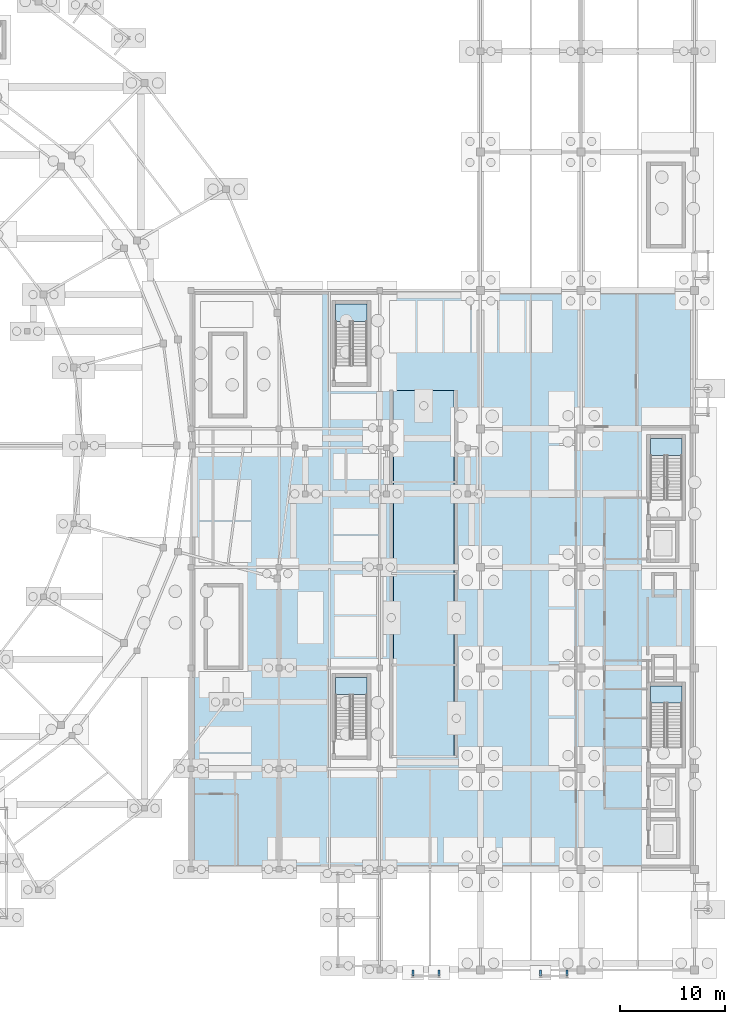
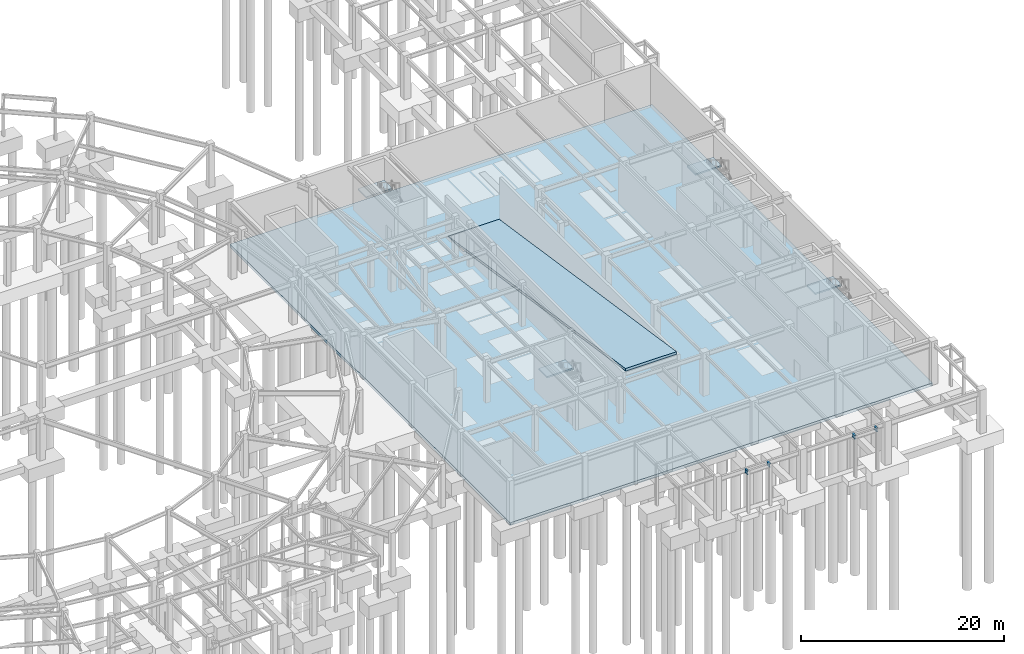
# One storey, part 44 of 55: 6 slabs, 4 beams, 4 elements without a shape of their own.
"""IFC4 building model written with IfcOpenShell, lengths in metres."""

from ifc_helpers import new_model, si_unit, direction, frame, origin, origin_2d, place, context, subcontext, project, spatial, polyline, i_section, outline, extrude, material, layer, layer_set, material_profile, profile_set, type_object, element, aggregate, save


model = new_model("IFC4")

# Units and contexts
model_context = context("Model", 3, precision=1e-05, world=origin(), true_north=direction((0.0, 1.0)))
body_context = subcontext(model_context, "Body", "Model", "MODEL_VIEW")
ifc_project = project(units=[si_unit("LENGTHUNIT", "METRE"), si_unit("AREAUNIT", "SQUARE_METRE"), si_unit("VOLUMEUNIT", "CUBIC_METRE"), si_unit("PLANEANGLEUNIT", "RADIAN"), si_unit("MASSUNIT", "GRAM", prefix="KILO")], contexts=[model_context])

# Site, building, storey
site_placement = place(None, origin())
site = spatial("IfcSite", under=ifc_project, at=site_placement, CompositionType="ELEMENT")
building_placement = place(site_placement, origin())
building = spatial("IfcBuilding", under=site, at=building_placement, Name="Almandine Court Research Institute", CompositionType="ELEMENT")
storey_placement = place(building_placement, frame((0.0, 0.0, -5.25)))
storey = spatial("IfcBuildingStorey", under=building, at=storey_placement, Name="B1", CompositionType="ELEMENT", Elevation=-5.25)

# Beams
ifc_material_1 = material(Name="Steel ASTM A992 Grade 50", Category="steel")
ifc_material_profile = material_profile(ifc_material_1, i_section(OverallWidth=0.18994140625, OverallDepth=0.45703125, WebThickness=0.009033203125, FlangeThickness=0.014892578125, at=origin_2d()), Name="W460x74")
ifc_profile_set = profile_set([ifc_material_profile], Name="Steel ASTM A992 Grade 50")
beam_type = type_object("IfcBeamType", Name="Beam-B-01", PredefinedType="BEAM", material=ifc_profile_set)
for number, where, z_axis, x_axis, name in (
    (1, (147.14990234375, 5.419921875, 4.76904296875), (0.0, 1.0, 0.0), (-1.0, 0.0, 0.0), "B1 Threshold Support Beam PAD-V4-FCC-1"),
    (2, (149.64990234375, 5.419921875, 4.76904296875), (0.0, 1.0, 0.0), (-1.0, 0.0, 0.0), "B1 Threshold Support Beam PAD-V4-FCC-2"),
    (3, (159.35009765625, 5.419921875, 4.76904296875), (0.0, 1.0, 0.0), (-1.0, 0.0, 0.0), "B1 Threshold Support Beam PAD-V4-S2-1"),
    (4, (161.85009765625, 5.419921875, 4.76904296875), (0.0, 1.0, 0.0), (-1.0, 0.0, 0.0), "B1 Threshold Support Beam PAD-V4-S2-2"),
):
    element("IfcBeam", number, at=place(storey_placement, frame(where, z_axis=z_axis, x_axis=x_axis)), inside=storey, type_object=beam_type, Name=name, PredefinedType="BEAM", context=body_context, shape_type="SweptSolid", body=[
        extrude(i_section(OverallWidth=0.18994140625, OverallDepth=0.45703125, WebThickness=0.009033203125, FlangeThickness=0.014892578125, at=origin_2d()), origin(), (0.0, 0.0, 1.0), 0.580078125),
    ])

# Slab
ifc_material_2 = material(Name="Concrete C35/45", Category="concrete")
ifc_layer_1 = layer(ifc_material_2, 0.35009765625)
ifc_layer_set_1 = layer_set([ifc_layer_1], Name="Concrete C35/45")
slab_type_1 = type_object("IfcSlabType", Name="Slab-BS-350", PredefinedType="BASESLAB", material=ifc_layer_set_1)
slab_1_placement = place(storey_placement, frame((0.0, 0.0, -0.35009765625)))
element("IfcSlab", 5, at=slab_1_placement, inside=storey, type_object=slab_type_1, Name="B1 Basement Structural Mat Base Slab", PredefinedType="BASESLAB", context=body_context, shape_type="SweptSolid", body=[
    extrude(outline(polyline([(126.0, 15.60009765625), (174.0, 15.60009765625), (174.0, 70.800048828125), (126.0, 70.800048828125), (126.0, 15.60009765625)]), holes=[polyline([(145.260009765625, 58.199951171875), (151.139892578125, 58.199951171875), (151.139892578125, 61.25), (145.260009765625, 61.25), (145.260009765625, 58.199951171875)])]), origin(), (0.0, 0.0, 1.0), 0.35009765625),
])

# Stair, slab
stair_type = type_object("IfcStairType", Name="Stair-Core-30R", PredefinedType="HALF_TURN_STAIR", material=ifc_material_2)
stair_1_placement = place(storey_placement, origin())
stair_1 = element("IfcStair", 6, at=stair_1_placement, inside=storey, type_object=stair_type, Name="B1 Wet Lab South High-Rise Core Stair", PredefinedType="HALF_TURN_STAIR")
ifc_layer_2 = layer(ifc_material_2, 0.179931640625)
ifc_layer_set_2 = layer_set([ifc_layer_2], Name="Concrete C35/45")
slab_type_2 = type_object("IfcSlabType", Name="Slab-Landing-180", PredefinedType="LANDING", material=ifc_layer_set_2)
slab_2_placement = place(storey_placement, frame((0.0, 0.0, 2.445068359375)))
slab_2 = element("IfcSlab", 7, at=slab_2_placement, type_object=slab_type_2, Name="ST-07 landing 1", PredefinedType="LANDING", context=body_context, shape_type="SweptSolid", body=[
    extrude(outline(polyline([(172.800048828125, 31.449951171875), (172.800048828125, 33.10009765625), (169.800048828125, 33.10009765625), (169.800048828125, 31.449951171875), (172.800048828125, 31.449951171875)])), origin(), (0.0, 0.0, 1.0), 0.179931640625),
])
aggregate(stair_1, [slab_2])

stair_2_placement = place(storey_placement, origin())
stair_2 = element("IfcStair", 8, at=stair_2_placement, inside=storey, type_object=stair_type, Name="B1 Wet Lab Central High-Rise Core Stair", PredefinedType="HALF_TURN_STAIR")
slab_3_placement = place(storey_placement, frame((0.0, 0.0, 2.445068359375)))
slab_3 = element("IfcSlab", 9, at=slab_3_placement, type_object=slab_type_2, Name="ST-08 landing 1", PredefinedType="LANDING", context=body_context, shape_type="SweptSolid", body=[
    extrude(outline(polyline([(172.800048828125, 55.050048828125), (172.800048828125, 56.699951171875), (169.800048828125, 56.699951171875), (169.800048828125, 55.050048828125), (172.800048828125, 55.050048828125)])), origin(), (0.0, 0.0, 1.0), 0.179931640625),
])
aggregate(stair_2, [slab_3])

stair_3_placement = place(storey_placement, origin())
stair_3 = element("IfcStair", 10, at=stair_3_placement, inside=storey, type_object=stair_type, Name="B1 Basement Garage Southwest Exit Stair", PredefinedType="HALF_TURN_STAIR")
slab_4_placement = place(storey_placement, frame((0.0, 0.0, 2.445068359375)))
slab_4 = element("IfcSlab", 11, at=slab_4_placement, type_object=slab_type_2, Name="ST-11 landing 1", PredefinedType="LANDING", context=body_context, shape_type="SweptSolid", body=[
    extrude(outline(polyline([(142.800048828125, 32.25), (142.800048828125, 33.89990234375), (139.800048828125, 33.89990234375), (139.800048828125, 32.25), (142.800048828125, 32.25)])), origin(), (0.0, 0.0, 1.0), 0.179931640625),
])
aggregate(stair_3, [slab_4])

stair_4_placement = place(storey_placement, origin())
stair_4 = element("IfcStair", 12, at=stair_4_placement, inside=storey, type_object=stair_type, Name="B1 Basement Garage Northwest Exit Stair", PredefinedType="HALF_TURN_STAIR")
slab_5_placement = place(storey_placement, frame((0.0, 0.0, 2.445068359375)))
slab_5 = element("IfcSlab", 13, at=slab_5_placement, type_object=slab_type_2, Name="ST-12 landing 1", PredefinedType="LANDING", context=body_context, shape_type="SweptSolid", body=[
    extrude(outline(polyline([(142.800048828125, 67.85009765625), (142.800048828125, 69.5), (139.800048828125, 69.5), (139.800048828125, 67.85009765625), (142.800048828125, 67.85009765625)])), origin(), (0.0, 0.0, 1.0), 0.179931640625),
])
aggregate(stair_4, [slab_5])

# Slab
ifc_layer_3 = layer(ifc_material_2, 0.280029296875)
ifc_layer_set_3 = layer_set([ifc_layer_3], Name="Concrete C35/45")
slab_type_3 = type_object("IfcSlabType", Name="Slab-RAMP-280", PredefinedType="FLOOR", material=ifc_layer_set_3)
slab_6_placement = place(storey_placement, frame((151.10009765625, 61.25, 0.0), z_axis=(0.0, 0.148756511843, 0.988873854536), x_axis=(-1.0, 0.0, 0.0)))
element("IfcSlab", 14, at=slab_6_placement, inside=storey, type_object=slab_type_3, Name="B1 Car Park Structural Sloped Vehicle Ramp Slab", PredefinedType="FLOOR", context=body_context, shape_type="SweptSolid", body=[
    extrude(outline(polyline([(0.0, 0.0), (5.800048828125, 0.0), (5.800048828125, 35.292572640759516), (0.0, 35.292572640759516), (0.0, 0.0)])), origin(), (0.0, 0.0, -1.0), 0.280029296875),
])

save(model, "model.ifc")
